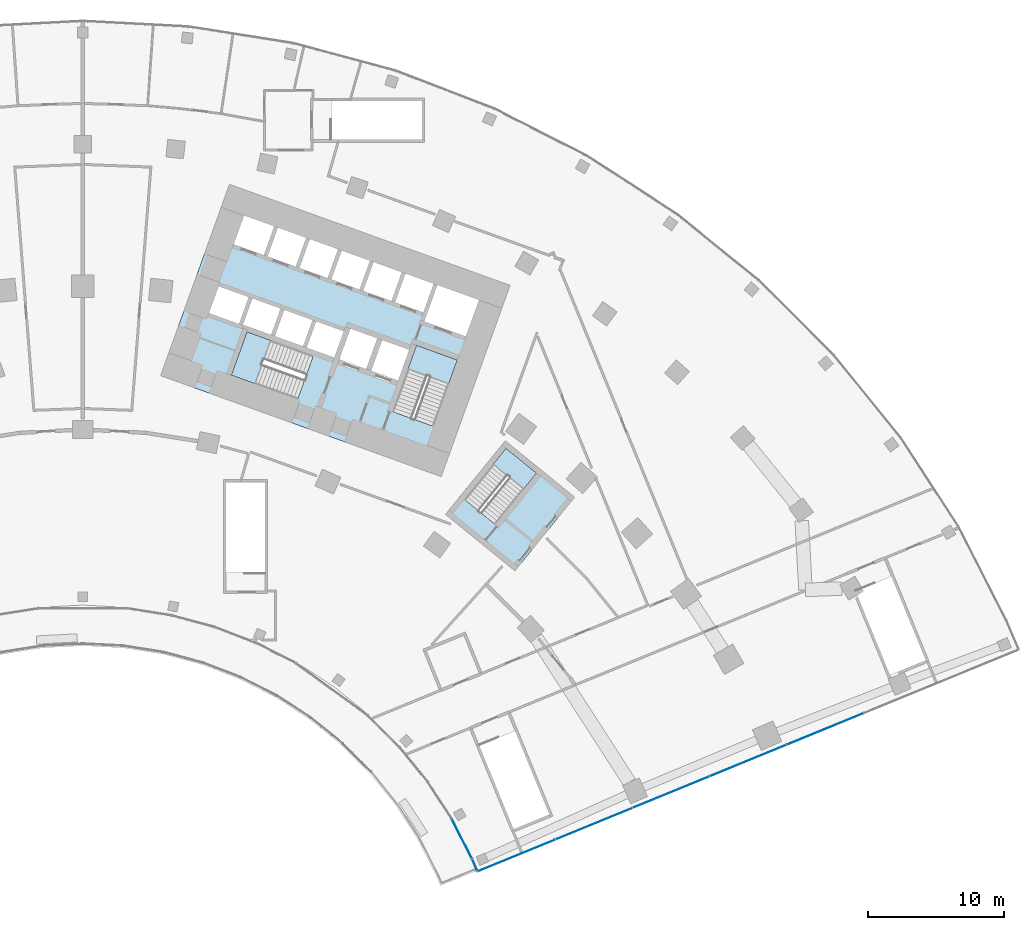
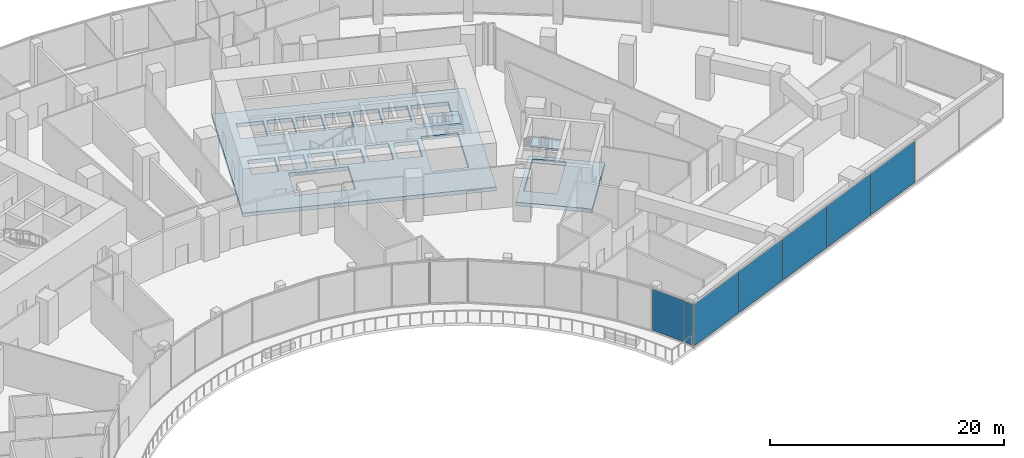
# One storey, part 20 of 33: 7 plates, 5 slabs, 5 elements without a shape of their own.
"""IFC4 building model written with IfcOpenShell, lengths in metres."""

from ifc_helpers import new_model, si_unit, direction, frame, origin, origin_2d, place, context, subcontext, project, spatial, polyline, rectangle, outline, extrude, material, layer, layer_set, type_object, element, aggregate, save


model = new_model("IFC4")

# Units and contexts
model_context = context("Model", 3, precision=1e-05, world=origin(), true_north=direction((0.0, 1.0)))
body_context = subcontext(model_context, "Body", "Model", "MODEL_VIEW")
ifc_project = project(units=[si_unit("LENGTHUNIT", "METRE"), si_unit("AREAUNIT", "SQUARE_METRE"), si_unit("VOLUMEUNIT", "CUBIC_METRE"), si_unit("PLANEANGLEUNIT", "RADIAN"), si_unit("MASSUNIT", "GRAM", prefix="KILO")], contexts=[model_context])

# Site, building, storey
site_placement = place(None, origin())
site = spatial("IfcSite", under=ifc_project, at=site_placement, CompositionType="ELEMENT")
building_placement = place(site_placement, origin())
building = spatial("IfcBuilding", under=site, at=building_placement, Name="Stone Belt Terrace Tower", CompositionType="ELEMENT")
storey_placement = place(building_placement, frame((0.0, 0.0, 25.39990234375)))
storey = spatial("IfcBuildingStorey", under=building, at=storey_placement, Name="L05", CompositionType="ELEMENT", Elevation=25.39990234375)

# Curtain wall, plates
ifc_material_1 = material(Name="Aluminium 6063-T6 anodised frame", Category="aluminium")
ifc_layer_1 = layer(ifc_material_1, 0.14990234375)
ifc_layer_set_1 = layer_set([ifc_layer_1], Name="CW-D podium shopfront")
curtain_wall_type = type_object("IfcCurtainWallType", Name="CW-D podium shopfront", PredefinedType="NOTDEFINED", material=ifc_layer_set_1)
curtain_wall_1_placement = place(storey_placement, origin())
curtain_wall_1 = element("IfcCurtainWall", 1, at=curtain_wall_1_placement, inside=storey, type_object=curtain_wall_type, Name="CW-D concave face L05", PredefinedType="NOTDEFINED")
ifc_material_2 = material(Name="Clear double glazed unit")
ifc_layer_2 = layer(ifc_material_2, 0.031982421875)
ifc_layer_set_2 = layer_set([ifc_layer_2], Name="CW-D glass panel 32")
plate_type = type_object("IfcPlateType", Name="CW-D glass panel 32", PredefinedType="CURTAIN_PANEL", material=ifc_layer_set_2)
plate_1_placement = place(storey_placement, frame((27.962158203125, 14.245849609375, 0.14013671875), z_axis=(0.0, 0.0, 1.0), x_axis=(0.45399049974, -0.891006524188, 0.0)))
plate_1 = element("IfcPlate", 2, at=plate_1_placement, type_object=plate_type, Name="CW-D panel 20.1", PredefinedType="CURTAIN_PANEL", context=body_context, shape_type="SweptSolid", body=[
    extrude(rectangle(XDim=3.224365234375, YDim=0.031982421875, at=origin_2d()), origin(), (0.0, 0.0, 1.0), 4.320068359375),
])
plate_2_placement = place(storey_placement, frame((28.899658203125, 12.333740234375, 0.14013671875), z_axis=(0.0, 0.0, 1.0), x_axis=(0.393033792222, -0.919524028056, 0.0)))
plate_2 = element("IfcPlate", 3, at=plate_2_placement, type_object=plate_type, Name="CW-D panel 21.1", PredefinedType="CURTAIN_PANEL", context=body_context, shape_type="SweptSolid", body=[
    extrude(rectangle(XDim=0.90673828125, YDim=0.031982421875, at=origin_2d()), origin(), (0.0, 0.0, 1.0), 4.320068359375),
])
aggregate(curtain_wall_1, [plate_1, plate_2])

curtain_wall_2_placement = place(storey_placement, origin())
curtain_wall_2 = element("IfcCurtainWall", 4, at=curtain_wall_2_placement, inside=storey, type_object=curtain_wall_type, Name="CW-D end face L05", PredefinedType="NOTDEFINED")
plate_3_placement = place(storey_placement, frame((32.00341796875, 13.035888671875, 0.14013671875), z_axis=(0.0, 0.0, 1.0), x_axis=(0.925297074342, 0.379243093825, 0.0)))
plate_3 = element("IfcPlate", 5, at=plate_3_placement, type_object=plate_type, Name="CW-D panel 1.1", PredefinedType="CURTAIN_PANEL", context=body_context, shape_type="SweptSolid", body=[
    extrude(rectangle(XDim=6.11279296875, YDim=0.031982421875, at=origin_2d()), origin(), (0.0, 0.0, 1.0), 4.320068359375),
])
plate_4_placement = place(storey_placement, frame((37.701171875, 15.37109375, 0.14013671875), z_axis=(0.0, 0.0, 1.0), x_axis=(0.925297074342, 0.379243093825, 0.0)))
plate_4 = element("IfcPlate", 6, at=plate_4_placement, type_object=plate_type, Name="CW-D panel 2.1", PredefinedType="CURTAIN_PANEL", context=body_context, shape_type="SweptSolid", body=[
    extrude(rectangle(XDim=6.082763671875, YDim=0.031982421875, at=origin_2d()), origin(), (0.0, 0.0, 1.0), 4.320068359375),
])
plate_5_placement = place(storey_placement, frame((43.38525390625, 17.700927734375, 0.14013671875), z_axis=(0.0, 0.0, 1.0), x_axis=(0.925297074342, 0.379243093825, 0.0)))
plate_5 = element("IfcPlate", 7, at=plate_5_placement, type_object=plate_type, Name="CW-D panel 3.1", PredefinedType="CURTAIN_PANEL", context=body_context, shape_type="SweptSolid", body=[
    extrude(rectangle(XDim=6.082763671875, YDim=0.031982421875, at=origin_2d()), origin(), (0.0, 0.0, 1.0), 4.320068359375),
])
plate_6_placement = place(storey_placement, frame((49.069091796875, 20.030517578125, 0.14013671875), z_axis=(0.0, 0.0, 1.0), x_axis=(0.925297074342, 0.379243093825, 0.0)))
plate_6 = element("IfcPlate", 8, at=plate_6_placement, type_object=plate_type, Name="CW-D panel 4.1", PredefinedType="CURTAIN_PANEL", context=body_context, shape_type="SweptSolid", body=[
    extrude(rectangle(XDim=6.082763671875, YDim=0.031982421875, at=origin_2d()), origin(), (0.0, 0.0, 1.0), 4.320068359375),
])
plate_7_placement = place(storey_placement, frame((54.753173828125, 22.360107421875, 0.14013671875), z_axis=(0.0, 0.0, 1.0), x_axis=(0.925297074342, 0.379243093825, 0.0)))
plate_7 = element("IfcPlate", 9, at=plate_7_placement, type_object=plate_type, Name="CW-D panel 5.1", PredefinedType="CURTAIN_PANEL", context=body_context, shape_type="SweptSolid", body=[
    extrude(rectangle(XDim=6.082763671875, YDim=0.031982421875, at=origin_2d()), origin(), (0.0, 0.0, 1.0), 4.320068359375),
])
aggregate(curtain_wall_2, [plate_3, plate_4, plate_5, plate_6, plate_7])

# Slabs
ifc_material_3 = material(Name="Concrete B40", Category="concrete")
ifc_layer_3 = layer(ifc_material_3, 0.39990234375)
ifc_layer_set_3 = layer_set([ifc_layer_3], Name="Core floor slab 400")
slab_type_1 = type_object("IfcSlabType", Name="Core floor slab 400", PredefinedType="FLOOR", material=ifc_layer_set_3)
slab_1_placement = place(storey_placement, frame((0.0, 0.0, -0.39990234375)))
element("IfcSlab", 10, at=slab_1_placement, inside=storey, type_object=slab_type_1, Name="Core B floor L05", PredefinedType="FLOOR", context=body_context, shape_type="SweptSolid", body=[
    extrude(outline(polyline([(26.43505859375, 40.968994140625), (31.513916015625, 55.0830078125), (10.81396484375, 62.531982421875), (5.735107421875, 48.4189453125), (26.43505859375, 40.968994140625)]), holes=[polyline([(12.10595703125, 51.652099609375), (16.998046875, 49.89208984375), (15.846923828125, 46.69189453125), (10.955078125, 48.452880859375), (12.10595703125, 51.652099609375)]), polyline([(19.239990234375, 51.68896484375), (18.5458984375, 49.760009765625), (16.52294921875, 50.488037109375), (17.217041015625, 52.4169921875), (19.239990234375, 51.68896484375)]), polyline([(16.239990234375, 50.589111328125), (14.169921875, 51.333984375), (14.864013671875, 53.262939453125), (16.93408203125, 52.51806640625), (16.239990234375, 50.589111328125)]), polyline([(14.58203125, 53.364990234375), (13.887939453125, 51.43603515625), (11.864990234375, 52.1640625), (11.847900390625, 52.116943359375), (11.801025390625, 52.134033203125), (12.511962890625, 54.110107421875), (14.58203125, 53.364990234375)]), polyline([(9.30810546875, 53.031005859375), (10.01904296875, 55.007080078125), (12.22998046875, 54.2109375), (11.51904296875, 52.235107421875), (9.30810546875, 53.031005859375)]), polyline([(16.743896484375, 58.485107421875), (18.81396484375, 57.739990234375), (18.052001953125, 55.623046875), (15.98193359375, 56.367919921875), (16.743896484375, 58.485107421875)]), polyline([(14.39111328125, 59.33203125), (16.4609375, 58.5869140625), (15.699951171875, 56.469970703125), (13.6298828125, 57.215087890625), (14.39111328125, 59.33203125)]), polyline([(11.89794921875, 60.22900390625), (14.10888671875, 59.43408203125), (13.346923828125, 57.31591796875), (11.135986328125, 58.112060546875), (11.89794921875, 60.22900390625)]), polyline([(25.85888671875, 44.68408203125), (22.847900390625, 45.76806640625), (24.60791015625, 50.659912109375), (27.618896484375, 49.575927734375), (25.85888671875, 44.68408203125)]), polyline([(21.27392578125, 48.778076171875), (22.0869140625, 51.035888671875), (24.06298828125, 50.324951171875), (23.25, 48.06689453125), (21.27392578125, 48.778076171875)]), polyline([(18.922119140625, 49.6240234375), (19.735107421875, 51.883056640625), (21.7109375, 51.1708984375), (20.89794921875, 48.9130859375), (18.922119140625, 49.6240234375)]), polyline([(29.2109375, 53.9990234375), (28.24609375, 51.31689453125), (25.18798828125, 52.41796875), (26.153076171875, 55.09912109375), (29.2109375, 53.9990234375)]), polyline([(23.801025390625, 55.946044921875), (25.87109375, 55.200927734375), (25.10888671875, 53.083984375), (23.0390625, 53.8291015625), (23.801025390625, 55.946044921875)]), polyline([(21.447998046875, 56.7919921875), (23.51806640625, 56.047119140625), (22.756103515625, 53.929931640625), (20.68603515625, 54.675048828125), (21.447998046875, 56.7919921875)]), polyline([(19.095947265625, 57.638916015625), (21.166015625, 56.89404296875), (20.404052734375, 54.777099609375), (18.333984375, 55.52197265625), (19.095947265625, 57.638916015625)])]), origin(), (0.0, 0.0, 1.0), 0.39990234375),
])
slab_2_placement = place(storey_placement, frame((0.0, 0.0, -0.39990234375)))
element("IfcSlab", 11, at=slab_2_placement, inside=storey, type_object=slab_type_1, Name="Exit stair ST3B floor L05", PredefinedType="FLOOR", context=body_context, shape_type="SweptSolid", body=[
    extrude(outline(polyline([(26.741943359375, 38.18408203125), (31.866943359375, 34.02392578125), (36.278076171875, 39.458984375), (31.154052734375, 43.618896484375), (26.741943359375, 38.18408203125)]), holes=[polyline([(30.407958984375, 37.462890625), (28.156005859375, 39.291015625), (31.2119140625, 43.055908203125), (33.464111328125, 41.22802734375), (30.407958984375, 37.462890625)])]), origin(), (0.0, 0.0, 1.0), 0.39990234375),
])

# Stair, slab
stair_type = type_object("IfcStairType", Name="Exit stair 1500", PredefinedType="HALF_TURN_STAIR", material=ifc_material_3)
stair_1_placement = place(storey_placement, origin())
stair_1 = element("IfcStair", 12, at=stair_1_placement, inside=storey, type_object=stair_type, Name="L05 Exit stair 1 core B", PredefinedType="HALF_TURN_STAIR")
ifc_layer_4 = layer(ifc_material_3, 0.199951171875)
ifc_layer_set_4 = layer_set([ifc_layer_4], Name="Stair landing 200")
slab_type_2 = type_object("IfcSlabType", Name="Stair landing 200", PredefinedType="LANDING", material=ifc_layer_set_4)
slab_3_placement = place(storey_placement, frame((0.0, 0.0, 2.10009765625)))
slab_3 = element("IfcSlab", 13, at=slab_3_placement, type_object=slab_type_2, Name="ST1B landing 1", PredefinedType="LANDING", context=body_context, shape_type="SweptSolid", body=[
    extrude(outline(polyline([(26.99609375, 47.84423828125), (27.619384765625, 49.576171875), (24.6083984375, 50.659912109375), (23.985107421875, 48.927734375), (26.99609375, 47.84423828125)])), origin(), (0.0, 0.0, 1.0), 0.199951171875),
])
aggregate(stair_1, [slab_3])

stair_2_placement = place(storey_placement, origin())
stair_2 = element("IfcStair", 14, at=stair_2_placement, inside=storey, type_object=stair_type, Name="L05 Exit stair 2 core B", PredefinedType="HALF_TURN_STAIR")
slab_4_placement = place(storey_placement, frame((0.0, 0.0, 2.10009765625)))
slab_4 = element("IfcSlab", 15, at=slab_4_placement, type_object=slab_type_2, Name="ST2B landing 1", PredefinedType="LANDING", context=body_context, shape_type="SweptSolid", body=[
    extrude(outline(polyline([(13.837890625, 51.02880859375), (12.10595703125, 51.652099609375), (10.95458984375, 48.453125), (12.6865234375, 47.82958984375), (13.837890625, 51.02880859375)])), origin(), (0.0, 0.0, 1.0), 0.199951171875),
])
aggregate(stair_2, [slab_4])

stair_3_placement = place(storey_placement, origin())
stair_3 = element("IfcStair", 16, at=stair_3_placement, inside=storey, type_object=stair_type, Name="L05 Exit stair 3B", PredefinedType="HALF_TURN_STAIR")
slab_5_placement = place(storey_placement, frame((0.0, 0.0, 2.10009765625)))
slab_5 = element("IfcSlab", 17, at=slab_5_placement, type_object=slab_type_2, Name="ST3B landing 1", PredefinedType="LANDING", context=body_context, shape_type="SweptSolid", body=[
    extrude(outline(polyline([(32.5244140625, 40.07080078125), (33.4638671875, 41.228271484375), (31.21240234375, 43.055908203125), (30.272705078125, 41.8984375), (32.5244140625, 40.07080078125)])), origin(), (0.0, 0.0, 1.0), 0.199951171875),
])
aggregate(stair_3, [slab_5])

save(model, "model.ifc")
